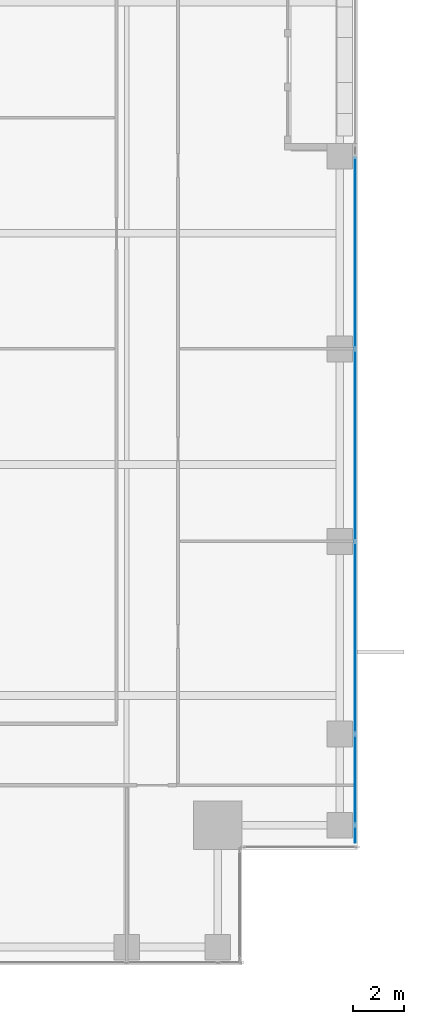
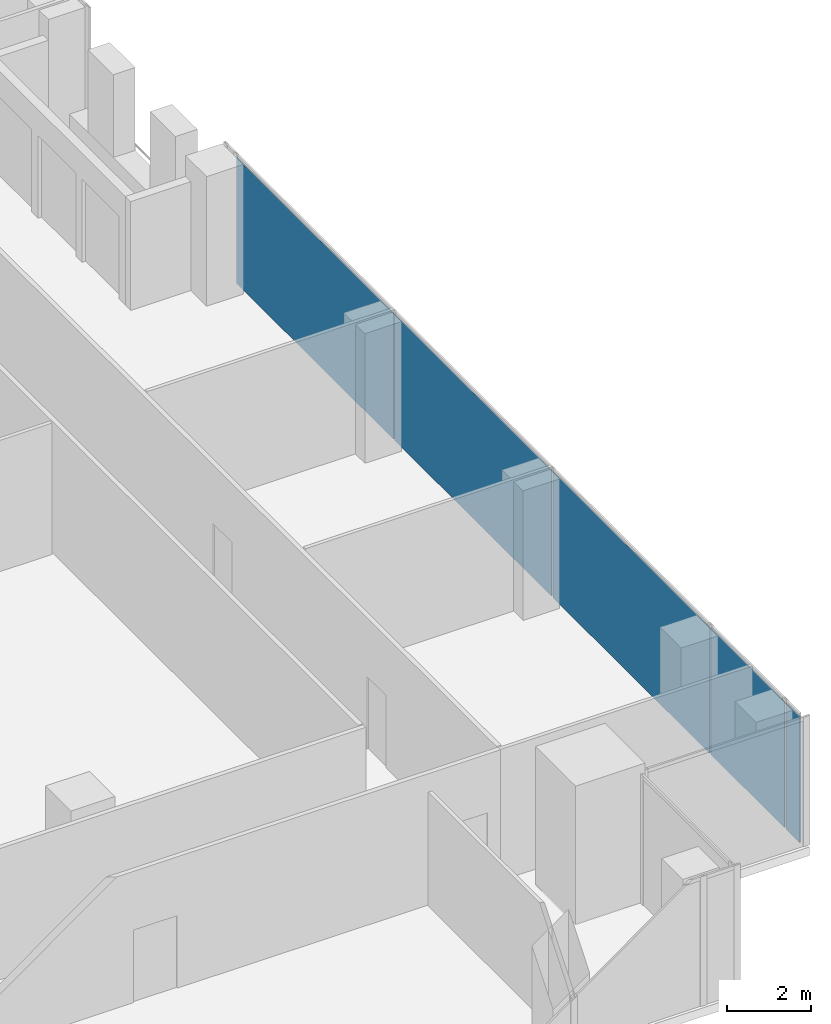
# One storey, part 31 of 40: 5 plates, 1 element without a shape of its own.
"""IFC4 building model written with IfcOpenShell, lengths in metres."""

from ifc_helpers import new_model, si_unit, direction, frame, origin, origin_2d, place, context, subcontext, project, spatial, rectangle, extrude, source, transform, mapped, material, layer, layer_set, type_object, element, aggregate, save


model = new_model("IFC4")

# Units and contexts
model_context = context("Model", 3, precision=1e-05, world=origin(), true_north=direction((0.0, 1.0)))
body_context = subcontext(model_context, "Body", "Model", "MODEL_VIEW")
ifc_project = project(units=[si_unit("LENGTHUNIT", "METRE"), si_unit("AREAUNIT", "SQUARE_METRE"), si_unit("VOLUMEUNIT", "CUBIC_METRE"), si_unit("PLANEANGLEUNIT", "RADIAN"), si_unit("MASSUNIT", "GRAM", prefix="KILO")], contexts=[model_context])

# Site, building, storey
site_placement = place(None, origin())
site = spatial("IfcSite", under=ifc_project, at=site_placement, CompositionType="ELEMENT")
building_placement = place(site_placement, origin())
building = spatial("IfcBuilding", under=site, at=building_placement, Name="Khomas Fold Tower", CompositionType="ELEMENT")
storey_placement = place(building_placement, frame((0.0, 0.0, 192.699951171875)))
storey = spatial("IfcBuildingStorey", under=building, at=storey_placement, Name="L42", CompositionType="ELEMENT", Elevation=192.699951171875)

# Curtain wall, plates
ifc_material_1 = material(Name="Aluminium framed double glazing", Category="aluminium")
curtain_wall_type = type_object("IfcCurtainWallType", Name="SK-Unitised clear-glass wall, office floors CW2", PredefinedType="NOTDEFINED", material=ifc_material_1)
curtain_wall_placement = place(storey_placement, origin())
curtain_wall = element("IfcCurtainWall", 1, at=curtain_wall_placement, inside=storey, type_object=curtain_wall_type, Name="CW2 run L42 03-0", PredefinedType="NOTDEFINED")
ifc_material_2 = material(Name="Clear double glazed unit")
ifc_layer = layer(ifc_material_2, 0.030029296875)
ifc_layer_set = layer_set([ifc_layer], Name="Clear double glazed unit")
plate_type = type_object("IfcPlateType", Name="SK-Unitised clear-glass wall, office floors glass panel CW2-P", PredefinedType="CURTAIN_PANEL", material=ifc_layer_set)
shared_shape_1 = source(origin(), body_context, "Body", "SweptSolid", [
    extrude(rectangle(XDim=0.659912109375, YDim=0.030029296875, at=origin_2d()), origin(), (0.0, 0.0, 1.0), 3.639892578125),
])
plate_1_placement = place(storey_placement, frame((50.89990234375, 8.090087890625, 0.0), z_axis=(0.0, 0.0, 1.0), x_axis=(0.0, 1.0, 0.0)))
plate_1 = element("IfcPlate", 2, at=plate_1_placement, type_object=plate_type, Name="CW2 glass panel 1", PredefinedType="CURTAIN_PANEL", context=body_context, shape_type="MappedRepresentation", body=[
    mapped(shared_shape_1, transform((0.0, 0.0, 0.0))),
])
shared_shape_2 = source(origin(), body_context, "Body", "SweptSolid", [
    extrude(rectangle(XDim=3.489990234375, YDim=0.030029296875, at=origin_2d()), origin(), (0.0, 0.0, 1.0), 3.639892578125),
])
plate_2_placement = place(storey_placement, frame((50.89990234375, 10.22509765625, 0.0), z_axis=(0.0, 0.0, 1.0), x_axis=(0.0, 1.0, 0.0)))
plate_2 = element("IfcPlate", 3, at=plate_2_placement, type_object=plate_type, Name="CW2 glass panel 2", PredefinedType="CURTAIN_PANEL", context=body_context, shape_type="MappedRepresentation", body=[
    mapped(shared_shape_2, transform((0.0, 0.0, 0.0))),
])
shared_shape_3 = source(origin(), body_context, "Body", "SweptSolid", [
    extrude(rectangle(XDim=7.43994140625, YDim=0.030029296875, at=origin_2d()), origin(), (0.0, 0.0, 1.0), 3.639892578125),
])
plate_3_placement = place(storey_placement, frame((50.89990234375, 15.75, 0.0), z_axis=(0.0, 0.0, 1.0), x_axis=(0.0, 1.0, 0.0)))
plate_3 = element("IfcPlate", 4, at=plate_3_placement, type_object=plate_type, Name="CW2 glass panel 3", PredefinedType="CURTAIN_PANEL", context=body_context, shape_type="MappedRepresentation", body=[
    mapped(shared_shape_3, transform((0.0, 0.0, 0.0))),
])
plate_4_placement = place(storey_placement, frame((50.89990234375, 23.25, 0.0), z_axis=(0.0, 0.0, 1.0), x_axis=(0.0, 1.0, 0.0)))
plate_4 = element("IfcPlate", 5, at=plate_4_placement, type_object=plate_type, Name="CW2 glass panel 4", PredefinedType="CURTAIN_PANEL", context=body_context, shape_type="MappedRepresentation", body=[
    mapped(shared_shape_3, transform((0.0, 0.0, 0.0))),
])
plate_5_placement = place(storey_placement, frame((50.89990234375, 30.75, 0.0), z_axis=(0.0, 0.0, 1.0), x_axis=(0.0, 1.0, 0.0)))
plate_5 = element("IfcPlate", 6, at=plate_5_placement, type_object=plate_type, Name="CW2 glass panel 5", PredefinedType="CURTAIN_PANEL", context=body_context, shape_type="MappedRepresentation", body=[
    mapped(shared_shape_3, transform((0.0, 0.0, 0.0))),
])
aggregate(curtain_wall, [plate_1, plate_2, plate_3, plate_4, plate_5])

save(model, "model.ifc")
